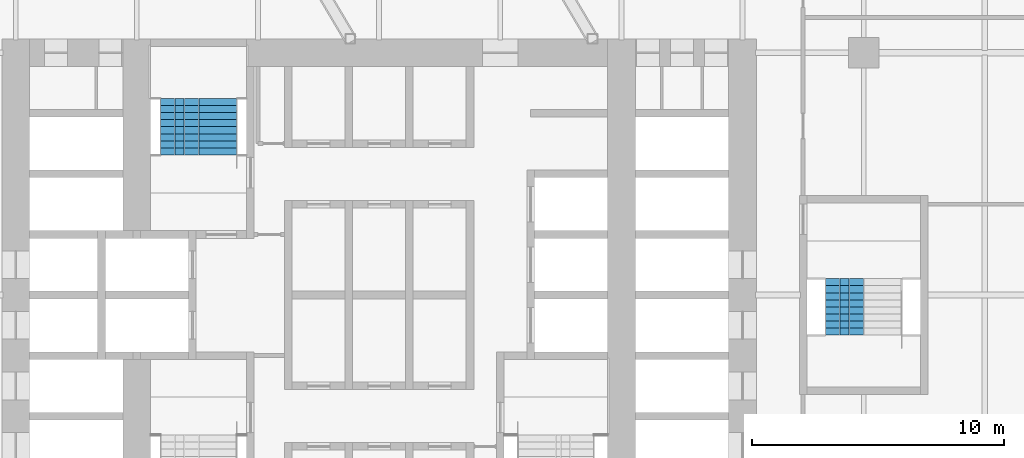
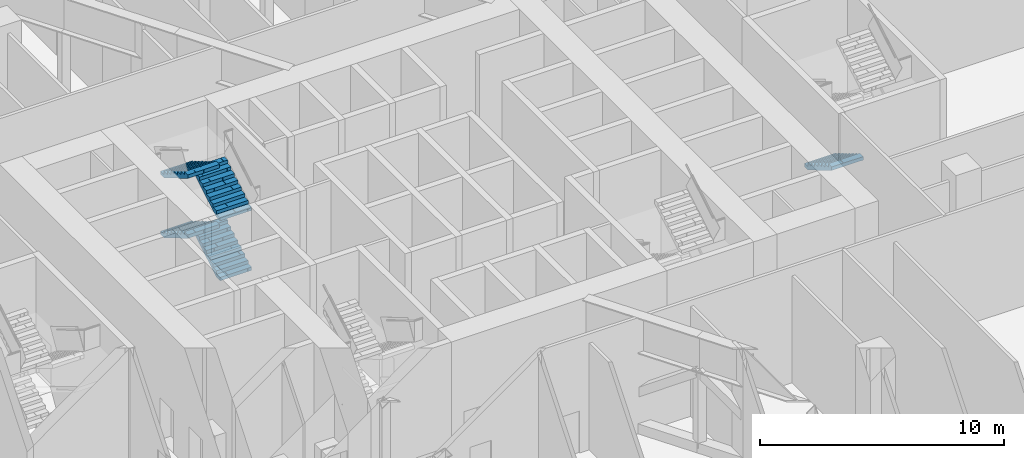
# One storey, part 26 of 35: 5 stair flights, 2 elements without a shape of their own.
"""IFC4 building model written with IfcOpenShell, lengths in metres."""

from ifc_helpers import new_model, si_unit, direction, frame, origin, place, context, subcontext, project, spatial, polyline, outline, extrude, material, type_object, element, aggregate, save


model = new_model("IFC4")

# Units and contexts
model_context = context("Model", 3, precision=1e-05, world=origin(), true_north=direction((0.0, 1.0)))
body_context = subcontext(model_context, "Body", "Model", "MODEL_VIEW")
ifc_project = project(units=[si_unit("LENGTHUNIT", "METRE"), si_unit("AREAUNIT", "SQUARE_METRE"), si_unit("VOLUMEUNIT", "CUBIC_METRE"), si_unit("PLANEANGLEUNIT", "RADIAN"), si_unit("MASSUNIT", "GRAM", prefix="KILO")], contexts=[model_context])

# Site, building, storey
site_placement = place(None, origin())
site = spatial("IfcSite", under=ifc_project, at=site_placement, CompositionType="ELEMENT")
building_placement = place(site_placement, origin())
building = spatial("IfcBuilding", under=site, at=building_placement, Name="Kolab Exchange Tower", CompositionType="ELEMENT")
storey_placement = place(building_placement, frame((0.0, 0.0, 71.89990234375)))
storey = spatial("IfcBuildingStorey", under=building, at=storey_placement, Name="L13", CompositionType="ELEMENT", Elevation=71.89990234375)

# Stair, stair flights
ifc_material = material(Name="Concrete C50/60", Category="concrete")
stair_type_1 = type_object("IfcStairType", Name="STAIR ST1 RISER 166.7", PredefinedType="DOUBLE_RETURN_STAIR", material=ifc_material)
stair_1_placement = place(storey_placement, origin())
stair_1 = element("IfcStair", 1, at=stair_1_placement, inside=storey, type_object=stair_type_1, Name="Stair 1", PredefinedType="DOUBLE_RETURN_STAIR")
stair_flight_type = type_object("IfcStairFlightType", Name="STAIR FLIGHT 1500 RISER 166.7", PredefinedType="STRAIGHT", material=ifc_material)
stair_flight_1_placement = place(storey_placement, frame((-6.389892578125, 5.550048828125, 0.0), z_axis=(0.0, 0.0, 1.0), x_axis=(0.0, 1.0, 0.0)))
stair_flight_1 = element("IfcStairFlight", 2, at=stair_flight_1_placement, type_object=stair_flight_type, Name="ST1 flight 1", NumberOfRisers=9, NumberOfTreads=8, PredefinedType="STRAIGHT", RiserHeight=0.166666667, TreadLength=0.28, context=body_context, shape_type="SweptSolid", body=[
    extrude(outline(polyline([(0.0, 0.0), (0.0, 0.166748046875), (0.280029296875, 0.166748046875), (0.280029296875, 0.333251953125), (0.56005859375, 0.333251953125), (0.56005859375, 0.5), (0.840087890625, 0.5), (0.840087890625, 0.666748046875), (1.1201171875, 0.666748046875), (1.1201171875, 0.833251953125), (1.39990234375, 0.833251953125), (1.39990234375, 1.0), (1.679931640625, 1.0), (1.679931640625, 1.166748046875), (1.9599609375, 1.166748046875), (1.9599609375, 1.333251953125), (2.239990234375, 1.333251953125), (2.239990234375, 1.5), (2.239990234375, 1.158935546875), (0.29296875, 0.0), (0.0, 0.0)])), frame((0.0, 0.75, 0.0), z_axis=(0.0, -1.0, 0.0), x_axis=(1.0, 0.0, 0.0)), (0.0, 0.0, 1.0), 0.185791015625),
    extrude(outline(polyline([(0.0, 0.0), (0.0, 0.166748046875), (0.280029296875, 0.166748046875), (0.280029296875, 0.333251953125), (0.56005859375, 0.333251953125), (0.56005859375, 0.5), (0.840087890625, 0.5), (0.840087890625, 0.666748046875), (1.1201171875, 0.666748046875), (1.1201171875, 0.833251953125), (1.39990234375, 0.833251953125), (1.39990234375, 1.0), (1.679931640625, 1.0), (1.679931640625, 1.166748046875), (1.9599609375, 1.166748046875), (1.9599609375, 1.333251953125), (2.239990234375, 1.333251953125), (2.239990234375, 1.5), (2.239990234375, 1.158935546875), (0.29296875, 0.0), (0.0, 0.0)])), frame((0.0, 0.562255859375, 0.0), z_axis=(0.0, -1.0, 0.0), x_axis=(1.0, 0.0, 0.0)), (0.0, 0.0, 1.0), 0.185791015625),
    extrude(outline(polyline([(0.0, 0.0), (0.0, 0.166748046875), (0.280029296875, 0.166748046875), (0.280029296875, 0.333251953125), (0.56005859375, 0.333251953125), (0.56005859375, 0.5), (0.840087890625, 0.5), (0.840087890625, 0.666748046875), (1.1201171875, 0.666748046875), (1.1201171875, 0.833251953125), (1.39990234375, 0.833251953125), (1.39990234375, 1.0), (1.679931640625, 1.0), (1.679931640625, 1.166748046875), (1.9599609375, 1.166748046875), (1.9599609375, 1.333251953125), (2.239990234375, 1.333251953125), (2.239990234375, 1.5), (2.239990234375, 1.158935546875), (0.29296875, 0.0), (0.0, 0.0)])), frame((0.0, 0.37451171875, 0.0), z_axis=(0.0, -1.0, 0.0), x_axis=(1.0, 0.0, 0.0)), (0.0, 0.0, 1.0), 0.185791015625),
    extrude(outline(polyline([(0.0, 0.0), (0.0, 0.166748046875), (0.280029296875, 0.166748046875), (0.280029296875, 0.333251953125), (0.56005859375, 0.333251953125), (0.56005859375, 0.5), (0.840087890625, 0.5), (0.840087890625, 0.666748046875), (1.1201171875, 0.666748046875), (1.1201171875, 0.833251953125), (1.39990234375, 0.833251953125), (1.39990234375, 1.0), (1.679931640625, 1.0), (1.679931640625, 1.166748046875), (1.9599609375, 1.166748046875), (1.9599609375, 1.333251953125), (2.239990234375, 1.333251953125), (2.239990234375, 1.5), (2.239990234375, 1.158935546875), (0.29296875, 0.0), (0.0, 0.0)])), frame((0.0, 0.186767578125, 0.0), z_axis=(0.0, -1.0, 0.0), x_axis=(1.0, 0.0, 0.0)), (0.0, 0.0, 1.0), 0.185791015625),
    extrude(outline(polyline([(0.0, 0.0), (0.0, 0.166748046875), (0.280029296875, 0.166748046875), (0.280029296875, 0.333251953125), (0.56005859375, 0.333251953125), (0.56005859375, 0.5), (0.840087890625, 0.5), (0.840087890625, 0.666748046875), (1.1201171875, 0.666748046875), (1.1201171875, 0.833251953125), (1.39990234375, 0.833251953125), (1.39990234375, 1.0), (1.679931640625, 1.0), (1.679931640625, 1.166748046875), (1.9599609375, 1.166748046875), (1.9599609375, 1.333251953125), (2.239990234375, 1.333251953125), (2.239990234375, 1.5), (2.239990234375, 1.158935546875), (0.29296875, 0.0), (0.0, 0.0)])), frame((0.0, -0.0009765625, 0.0), z_axis=(0.0, -1.0, 0.0), x_axis=(1.0, 0.0, 0.0)), (0.0, 0.0, 1.0), 0.185791015625),
    extrude(outline(polyline([(0.0, 0.0), (0.0, 0.166748046875), (0.280029296875, 0.166748046875), (0.280029296875, 0.333251953125), (0.56005859375, 0.333251953125), (0.56005859375, 0.5), (0.840087890625, 0.5), (0.840087890625, 0.666748046875), (1.1201171875, 0.666748046875), (1.1201171875, 0.833251953125), (1.39990234375, 0.833251953125), (1.39990234375, 1.0), (1.679931640625, 1.0), (1.679931640625, 1.166748046875), (1.9599609375, 1.166748046875), (1.9599609375, 1.333251953125), (2.239990234375, 1.333251953125), (2.239990234375, 1.5), (2.239990234375, 1.158935546875), (0.29296875, 0.0), (0.0, 0.0)])), frame((0.0, -0.188720703125, 0.0), z_axis=(0.0, -1.0, 0.0), x_axis=(1.0, 0.0, 0.0)), (0.0, 0.0, 1.0), 0.185791015625),
    extrude(outline(polyline([(0.0, 0.0), (0.0, 0.166748046875), (0.280029296875, 0.166748046875), (0.280029296875, 0.333251953125), (0.56005859375, 0.333251953125), (0.56005859375, 0.5), (0.840087890625, 0.5), (0.840087890625, 0.666748046875), (1.1201171875, 0.666748046875), (1.1201171875, 0.833251953125), (1.39990234375, 0.833251953125), (1.39990234375, 1.0), (1.679931640625, 1.0), (1.679931640625, 1.166748046875), (1.9599609375, 1.166748046875), (1.9599609375, 1.333251953125), (2.239990234375, 1.333251953125), (2.239990234375, 1.5), (2.239990234375, 1.158935546875), (0.29296875, 0.0), (0.0, 0.0)])), frame((0.0, -0.37646484375, 0.0), z_axis=(0.0, -1.0, 0.0), x_axis=(1.0, 0.0, 0.0)), (0.0, 0.0, 1.0), 0.185791015625),
    extrude(outline(polyline([(0.0, 0.0), (0.0, 0.166748046875), (0.280029296875, 0.166748046875), (0.280029296875, 0.333251953125), (0.56005859375, 0.333251953125), (0.56005859375, 0.5), (0.840087890625, 0.5), (0.840087890625, 0.666748046875), (1.1201171875, 0.666748046875), (1.1201171875, 0.833251953125), (1.39990234375, 0.833251953125), (1.39990234375, 1.0), (1.679931640625, 1.0), (1.679931640625, 1.166748046875), (1.9599609375, 1.166748046875), (1.9599609375, 1.333251953125), (2.239990234375, 1.333251953125), (2.239990234375, 1.5), (2.239990234375, 1.158935546875), (0.29296875, 0.0), (0.0, 0.0)])), frame((0.0, -0.564208984375, 0.0), z_axis=(0.0, -1.0, 0.0), x_axis=(1.0, 0.0, 0.0)), (0.0, 0.0, 1.0), 0.185791015625),
])
stair_flight_2_placement = place(storey_placement, frame((-7.909912109375, 7.7900390625, 1.5), z_axis=(0.0, 0.0, 1.0), x_axis=(0.0, -1.0, 0.0)))
stair_flight_2 = element("IfcStairFlight", 3, at=stair_flight_2_placement, type_object=stair_flight_type, Name="ST1 flight 2", NumberOfRisers=9, NumberOfTreads=8, PredefinedType="STRAIGHT", RiserHeight=0.166666667, TreadLength=0.28, context=body_context, shape_type="SweptSolid", body=[
    extrude(outline(polyline([(0.0, 0.0), (0.0, 0.166748046875), (0.280029296875, 0.166748046875), (0.280029296875, 0.333251953125), (0.56005859375, 0.333251953125), (0.56005859375, 0.5), (0.840087890625, 0.5), (0.840087890625, 0.666748046875), (1.1201171875, 0.666748046875), (1.1201171875, 0.833251953125), (1.39990234375, 0.833251953125), (1.39990234375, 1.0), (1.679931640625, 1.0), (1.679931640625, 1.166748046875), (1.9599609375, 1.166748046875), (1.9599609375, 1.333251953125), (2.239990234375, 1.333251953125), (2.239990234375, 1.5), (2.239990234375, 1.158935546875), (0.29296875, 0.0), (0.0, 0.0)])), frame((0.0, 0.75, 0.0), z_axis=(0.0, -1.0, 0.0), x_axis=(1.0, 0.0, 0.0)), (0.0, 0.0, 1.0), 0.185791015625),
    extrude(outline(polyline([(0.0, 0.0), (0.0, 0.166748046875), (0.280029296875, 0.166748046875), (0.280029296875, 0.333251953125), (0.56005859375, 0.333251953125), (0.56005859375, 0.5), (0.840087890625, 0.5), (0.840087890625, 0.666748046875), (1.1201171875, 0.666748046875), (1.1201171875, 0.833251953125), (1.39990234375, 0.833251953125), (1.39990234375, 1.0), (1.679931640625, 1.0), (1.679931640625, 1.166748046875), (1.9599609375, 1.166748046875), (1.9599609375, 1.333251953125), (2.239990234375, 1.333251953125), (2.239990234375, 1.5), (2.239990234375, 1.158935546875), (0.29296875, 0.0), (0.0, 0.0)])), frame((0.0, 0.562255859375, 0.0), z_axis=(0.0, -1.0, 0.0), x_axis=(1.0, 0.0, 0.0)), (0.0, 0.0, 1.0), 0.185791015625),
    extrude(outline(polyline([(0.0, 0.0), (0.0, 0.166748046875), (0.280029296875, 0.166748046875), (0.280029296875, 0.333251953125), (0.56005859375, 0.333251953125), (0.56005859375, 0.5), (0.840087890625, 0.5), (0.840087890625, 0.666748046875), (1.1201171875, 0.666748046875), (1.1201171875, 0.833251953125), (1.39990234375, 0.833251953125), (1.39990234375, 1.0), (1.679931640625, 1.0), (1.679931640625, 1.166748046875), (1.9599609375, 1.166748046875), (1.9599609375, 1.333251953125), (2.239990234375, 1.333251953125), (2.239990234375, 1.5), (2.239990234375, 1.158935546875), (0.29296875, 0.0), (0.0, 0.0)])), frame((0.0, 0.37451171875, 0.0), z_axis=(0.0, -1.0, 0.0), x_axis=(1.0, 0.0, 0.0)), (0.0, 0.0, 1.0), 0.185791015625),
    extrude(outline(polyline([(0.0, 0.0), (0.0, 0.166748046875), (0.280029296875, 0.166748046875), (0.280029296875, 0.333251953125), (0.56005859375, 0.333251953125), (0.56005859375, 0.5), (0.840087890625, 0.5), (0.840087890625, 0.666748046875), (1.1201171875, 0.666748046875), (1.1201171875, 0.833251953125), (1.39990234375, 0.833251953125), (1.39990234375, 1.0), (1.679931640625, 1.0), (1.679931640625, 1.166748046875), (1.9599609375, 1.166748046875), (1.9599609375, 1.333251953125), (2.239990234375, 1.333251953125), (2.239990234375, 1.5), (2.239990234375, 1.158935546875), (0.29296875, 0.0), (0.0, 0.0)])), frame((0.0, 0.186767578125, 0.0), z_axis=(0.0, -1.0, 0.0), x_axis=(1.0, 0.0, 0.0)), (0.0, 0.0, 1.0), 0.185791015625),
    extrude(outline(polyline([(0.0, 0.0), (0.0, 0.166748046875), (0.280029296875, 0.166748046875), (0.280029296875, 0.333251953125), (0.56005859375, 0.333251953125), (0.56005859375, 0.5), (0.840087890625, 0.5), (0.840087890625, 0.666748046875), (1.1201171875, 0.666748046875), (1.1201171875, 0.833251953125), (1.39990234375, 0.833251953125), (1.39990234375, 1.0), (1.679931640625, 1.0), (1.679931640625, 1.166748046875), (1.9599609375, 1.166748046875), (1.9599609375, 1.333251953125), (2.239990234375, 1.333251953125), (2.239990234375, 1.5), (2.239990234375, 1.158935546875), (0.29296875, 0.0), (0.0, 0.0)])), frame((0.0, -0.0009765625, 0.0), z_axis=(0.0, -1.0, 0.0), x_axis=(1.0, 0.0, 0.0)), (0.0, 0.0, 1.0), 0.185791015625),
    extrude(outline(polyline([(0.0, 0.0), (0.0, 0.166748046875), (0.280029296875, 0.166748046875), (0.280029296875, 0.333251953125), (0.56005859375, 0.333251953125), (0.56005859375, 0.5), (0.840087890625, 0.5), (0.840087890625, 0.666748046875), (1.1201171875, 0.666748046875), (1.1201171875, 0.833251953125), (1.39990234375, 0.833251953125), (1.39990234375, 1.0), (1.679931640625, 1.0), (1.679931640625, 1.166748046875), (1.9599609375, 1.166748046875), (1.9599609375, 1.333251953125), (2.239990234375, 1.333251953125), (2.239990234375, 1.5), (2.239990234375, 1.158935546875), (0.29296875, 0.0), (0.0, 0.0)])), frame((0.0, -0.188720703125, 0.0), z_axis=(0.0, -1.0, 0.0), x_axis=(1.0, 0.0, 0.0)), (0.0, 0.0, 1.0), 0.185791015625),
    extrude(outline(polyline([(0.0, 0.0), (0.0, 0.166748046875), (0.280029296875, 0.166748046875), (0.280029296875, 0.333251953125), (0.56005859375, 0.333251953125), (0.56005859375, 0.5), (0.840087890625, 0.5), (0.840087890625, 0.666748046875), (1.1201171875, 0.666748046875), (1.1201171875, 0.833251953125), (1.39990234375, 0.833251953125), (1.39990234375, 1.0), (1.679931640625, 1.0), (1.679931640625, 1.166748046875), (1.9599609375, 1.166748046875), (1.9599609375, 1.333251953125), (2.239990234375, 1.333251953125), (2.239990234375, 1.5), (2.239990234375, 1.158935546875), (0.29296875, 0.0), (0.0, 0.0)])), frame((0.0, -0.37646484375, 0.0), z_axis=(0.0, -1.0, 0.0), x_axis=(1.0, 0.0, 0.0)), (0.0, 0.0, 1.0), 0.185791015625),
    extrude(outline(polyline([(0.0, 0.0), (0.0, 0.166748046875), (0.280029296875, 0.166748046875), (0.280029296875, 0.333251953125), (0.56005859375, 0.333251953125), (0.56005859375, 0.5), (0.840087890625, 0.5), (0.840087890625, 0.666748046875), (1.1201171875, 0.666748046875), (1.1201171875, 0.833251953125), (1.39990234375, 0.833251953125), (1.39990234375, 1.0), (1.679931640625, 1.0), (1.679931640625, 1.166748046875), (1.9599609375, 1.166748046875), (1.9599609375, 1.333251953125), (2.239990234375, 1.333251953125), (2.239990234375, 1.5), (2.239990234375, 1.158935546875), (0.29296875, 0.0), (0.0, 0.0)])), frame((0.0, -0.564208984375, 0.0), z_axis=(0.0, -1.0, 0.0), x_axis=(1.0, 0.0, 0.0)), (0.0, 0.0, 1.0), 0.185791015625),
])
stair_flight_3_placement = place(storey_placement, frame((-6.389892578125, 5.550048828125, 3.0), z_axis=(0.0, 0.0, 1.0), x_axis=(0.0, 1.0, 0.0)))
stair_flight_3 = element("IfcStairFlight", 4, at=stair_flight_3_placement, type_object=stair_flight_type, Name="ST1 flight 3", NumberOfRisers=9, NumberOfTreads=8, PredefinedType="STRAIGHT", RiserHeight=0.166666667, TreadLength=0.28, context=body_context, shape_type="SweptSolid", body=[
    extrude(outline(polyline([(0.0, 0.0), (0.0, 0.166748046875), (0.280029296875, 0.166748046875), (0.280029296875, 0.333251953125), (0.56005859375, 0.333251953125), (0.56005859375, 0.5), (0.840087890625, 0.5), (0.840087890625, 0.666748046875), (1.1201171875, 0.666748046875), (1.1201171875, 0.833251953125), (1.39990234375, 0.833251953125), (1.39990234375, 1.0), (1.679931640625, 1.0), (1.679931640625, 1.166748046875), (1.9599609375, 1.166748046875), (1.9599609375, 1.333251953125), (2.239990234375, 1.333251953125), (2.239990234375, 1.5), (2.239990234375, 1.158935546875), (0.29296875, 0.0), (0.0, 0.0)])), frame((0.0, 0.75, 0.0), z_axis=(0.0, -1.0, 0.0), x_axis=(1.0, 0.0, 0.0)), (0.0, 0.0, 1.0), 0.185791015625),
    extrude(outline(polyline([(0.0, 0.0), (0.0, 0.166748046875), (0.280029296875, 0.166748046875), (0.280029296875, 0.333251953125), (0.56005859375, 0.333251953125), (0.56005859375, 0.5), (0.840087890625, 0.5), (0.840087890625, 0.666748046875), (1.1201171875, 0.666748046875), (1.1201171875, 0.833251953125), (1.39990234375, 0.833251953125), (1.39990234375, 1.0), (1.679931640625, 1.0), (1.679931640625, 1.166748046875), (1.9599609375, 1.166748046875), (1.9599609375, 1.333251953125), (2.239990234375, 1.333251953125), (2.239990234375, 1.5), (2.239990234375, 1.158935546875), (0.29296875, 0.0), (0.0, 0.0)])), frame((0.0, 0.562255859375, 0.0), z_axis=(0.0, -1.0, 0.0), x_axis=(1.0, 0.0, 0.0)), (0.0, 0.0, 1.0), 0.185791015625),
    extrude(outline(polyline([(0.0, 0.0), (0.0, 0.166748046875), (0.280029296875, 0.166748046875), (0.280029296875, 0.333251953125), (0.56005859375, 0.333251953125), (0.56005859375, 0.5), (0.840087890625, 0.5), (0.840087890625, 0.666748046875), (1.1201171875, 0.666748046875), (1.1201171875, 0.833251953125), (1.39990234375, 0.833251953125), (1.39990234375, 1.0), (1.679931640625, 1.0), (1.679931640625, 1.166748046875), (1.9599609375, 1.166748046875), (1.9599609375, 1.333251953125), (2.239990234375, 1.333251953125), (2.239990234375, 1.5), (2.239990234375, 1.158935546875), (0.29296875, 0.0), (0.0, 0.0)])), frame((0.0, 0.37451171875, 0.0), z_axis=(0.0, -1.0, 0.0), x_axis=(1.0, 0.0, 0.0)), (0.0, 0.0, 1.0), 0.185791015625),
    extrude(outline(polyline([(0.0, 0.0), (0.0, 0.166748046875), (0.280029296875, 0.166748046875), (0.280029296875, 0.333251953125), (0.56005859375, 0.333251953125), (0.56005859375, 0.5), (0.840087890625, 0.5), (0.840087890625, 0.666748046875), (1.1201171875, 0.666748046875), (1.1201171875, 0.833251953125), (1.39990234375, 0.833251953125), (1.39990234375, 1.0), (1.679931640625, 1.0), (1.679931640625, 1.166748046875), (1.9599609375, 1.166748046875), (1.9599609375, 1.333251953125), (2.239990234375, 1.333251953125), (2.239990234375, 1.5), (2.239990234375, 1.158935546875), (0.29296875, 0.0), (0.0, 0.0)])), frame((0.0, 0.186767578125, 0.0), z_axis=(0.0, -1.0, 0.0), x_axis=(1.0, 0.0, 0.0)), (0.0, 0.0, 1.0), 0.185791015625),
    extrude(outline(polyline([(0.0, 0.0), (0.0, 0.166748046875), (0.280029296875, 0.166748046875), (0.280029296875, 0.333251953125), (0.56005859375, 0.333251953125), (0.56005859375, 0.5), (0.840087890625, 0.5), (0.840087890625, 0.666748046875), (1.1201171875, 0.666748046875), (1.1201171875, 0.833251953125), (1.39990234375, 0.833251953125), (1.39990234375, 1.0), (1.679931640625, 1.0), (1.679931640625, 1.166748046875), (1.9599609375, 1.166748046875), (1.9599609375, 1.333251953125), (2.239990234375, 1.333251953125), (2.239990234375, 1.5), (2.239990234375, 1.158935546875), (0.29296875, 0.0), (0.0, 0.0)])), frame((0.0, -0.0009765625, 0.0), z_axis=(0.0, -1.0, 0.0), x_axis=(1.0, 0.0, 0.0)), (0.0, 0.0, 1.0), 0.185791015625),
    extrude(outline(polyline([(0.0, 0.0), (0.0, 0.166748046875), (0.280029296875, 0.166748046875), (0.280029296875, 0.333251953125), (0.56005859375, 0.333251953125), (0.56005859375, 0.5), (0.840087890625, 0.5), (0.840087890625, 0.666748046875), (1.1201171875, 0.666748046875), (1.1201171875, 0.833251953125), (1.39990234375, 0.833251953125), (1.39990234375, 1.0), (1.679931640625, 1.0), (1.679931640625, 1.166748046875), (1.9599609375, 1.166748046875), (1.9599609375, 1.333251953125), (2.239990234375, 1.333251953125), (2.239990234375, 1.5), (2.239990234375, 1.158935546875), (0.29296875, 0.0), (0.0, 0.0)])), frame((0.0, -0.188720703125, 0.0), z_axis=(0.0, -1.0, 0.0), x_axis=(1.0, 0.0, 0.0)), (0.0, 0.0, 1.0), 0.185791015625),
    extrude(outline(polyline([(0.0, 0.0), (0.0, 0.166748046875), (0.280029296875, 0.166748046875), (0.280029296875, 0.333251953125), (0.56005859375, 0.333251953125), (0.56005859375, 0.5), (0.840087890625, 0.5), (0.840087890625, 0.666748046875), (1.1201171875, 0.666748046875), (1.1201171875, 0.833251953125), (1.39990234375, 0.833251953125), (1.39990234375, 1.0), (1.679931640625, 1.0), (1.679931640625, 1.166748046875), (1.9599609375, 1.166748046875), (1.9599609375, 1.333251953125), (2.239990234375, 1.333251953125), (2.239990234375, 1.5), (2.239990234375, 1.158935546875), (0.29296875, 0.0), (0.0, 0.0)])), frame((0.0, -0.37646484375, 0.0), z_axis=(0.0, -1.0, 0.0), x_axis=(1.0, 0.0, 0.0)), (0.0, 0.0, 1.0), 0.185791015625),
    extrude(outline(polyline([(0.0, 0.0), (0.0, 0.166748046875), (0.280029296875, 0.166748046875), (0.280029296875, 0.333251953125), (0.56005859375, 0.333251953125), (0.56005859375, 0.5), (0.840087890625, 0.5), (0.840087890625, 0.666748046875), (1.1201171875, 0.666748046875), (1.1201171875, 0.833251953125), (1.39990234375, 0.833251953125), (1.39990234375, 1.0), (1.679931640625, 1.0), (1.679931640625, 1.166748046875), (1.9599609375, 1.166748046875), (1.9599609375, 1.333251953125), (2.239990234375, 1.333251953125), (2.239990234375, 1.5), (2.239990234375, 1.158935546875), (0.29296875, 0.0), (0.0, 0.0)])), frame((0.0, -0.564208984375, 0.0), z_axis=(0.0, -1.0, 0.0), x_axis=(1.0, 0.0, 0.0)), (0.0, 0.0, 1.0), 0.185791015625),
])
stair_flight_4_placement = place(storey_placement, frame((-7.909912109375, 7.7900390625, 4.5), z_axis=(0.0, 0.0, 1.0), x_axis=(0.0, -1.0, 0.0)))
stair_flight_4 = element("IfcStairFlight", 5, at=stair_flight_4_placement, type_object=stair_flight_type, Name="ST1 flight 4", NumberOfRisers=9, NumberOfTreads=8, PredefinedType="STRAIGHT", RiserHeight=0.166666667, TreadLength=0.28, context=body_context, shape_type="SweptSolid", body=[
    extrude(outline(polyline([(0.0, 0.0), (0.0, 0.166748046875), (0.280029296875, 0.166748046875), (0.280029296875, 0.333251953125), (0.56005859375, 0.333251953125), (0.56005859375, 0.5), (0.840087890625, 0.5), (0.840087890625, 0.666748046875), (1.1201171875, 0.666748046875), (1.1201171875, 0.833251953125), (1.39990234375, 0.833251953125), (1.39990234375, 1.0), (1.679931640625, 1.0), (1.679931640625, 1.166748046875), (1.9599609375, 1.166748046875), (1.9599609375, 1.333251953125), (2.239990234375, 1.333251953125), (2.239990234375, 1.5), (2.239990234375, 1.158935546875), (0.29296875, 0.0), (0.0, 0.0)])), frame((0.0, 0.75, 0.0), z_axis=(0.0, -1.0, 0.0), x_axis=(1.0, 0.0, 0.0)), (0.0, 0.0, 1.0), 0.185791015625),
    extrude(outline(polyline([(0.0, 0.0), (0.0, 0.166748046875), (0.280029296875, 0.166748046875), (0.280029296875, 0.333251953125), (0.56005859375, 0.333251953125), (0.56005859375, 0.5), (0.840087890625, 0.5), (0.840087890625, 0.666748046875), (1.1201171875, 0.666748046875), (1.1201171875, 0.833251953125), (1.39990234375, 0.833251953125), (1.39990234375, 1.0), (1.679931640625, 1.0), (1.679931640625, 1.166748046875), (1.9599609375, 1.166748046875), (1.9599609375, 1.333251953125), (2.239990234375, 1.333251953125), (2.239990234375, 1.5), (2.239990234375, 1.158935546875), (0.29296875, 0.0), (0.0, 0.0)])), frame((0.0, 0.562255859375, 0.0), z_axis=(0.0, -1.0, 0.0), x_axis=(1.0, 0.0, 0.0)), (0.0, 0.0, 1.0), 0.185791015625),
    extrude(outline(polyline([(0.0, 0.0), (0.0, 0.166748046875), (0.280029296875, 0.166748046875), (0.280029296875, 0.333251953125), (0.56005859375, 0.333251953125), (0.56005859375, 0.5), (0.840087890625, 0.5), (0.840087890625, 0.666748046875), (1.1201171875, 0.666748046875), (1.1201171875, 0.833251953125), (1.39990234375, 0.833251953125), (1.39990234375, 1.0), (1.679931640625, 1.0), (1.679931640625, 1.166748046875), (1.9599609375, 1.166748046875), (1.9599609375, 1.333251953125), (2.239990234375, 1.333251953125), (2.239990234375, 1.5), (2.239990234375, 1.158935546875), (0.29296875, 0.0), (0.0, 0.0)])), frame((0.0, 0.37451171875, 0.0), z_axis=(0.0, -1.0, 0.0), x_axis=(1.0, 0.0, 0.0)), (0.0, 0.0, 1.0), 0.185791015625),
    extrude(outline(polyline([(0.0, 0.0), (0.0, 0.166748046875), (0.280029296875, 0.166748046875), (0.280029296875, 0.333251953125), (0.56005859375, 0.333251953125), (0.56005859375, 0.5), (0.840087890625, 0.5), (0.840087890625, 0.666748046875), (1.1201171875, 0.666748046875), (1.1201171875, 0.833251953125), (1.39990234375, 0.833251953125), (1.39990234375, 1.0), (1.679931640625, 1.0), (1.679931640625, 1.166748046875), (1.9599609375, 1.166748046875), (1.9599609375, 1.333251953125), (2.239990234375, 1.333251953125), (2.239990234375, 1.5), (2.239990234375, 1.158935546875), (0.29296875, 0.0), (0.0, 0.0)])), frame((0.0, 0.186767578125, 0.0), z_axis=(0.0, -1.0, 0.0), x_axis=(1.0, 0.0, 0.0)), (0.0, 0.0, 1.0), 0.185791015625),
    extrude(outline(polyline([(0.0, 0.0), (0.0, 0.166748046875), (0.280029296875, 0.166748046875), (0.280029296875, 0.333251953125), (0.56005859375, 0.333251953125), (0.56005859375, 0.5), (0.840087890625, 0.5), (0.840087890625, 0.666748046875), (1.1201171875, 0.666748046875), (1.1201171875, 0.833251953125), (1.39990234375, 0.833251953125), (1.39990234375, 1.0), (1.679931640625, 1.0), (1.679931640625, 1.166748046875), (1.9599609375, 1.166748046875), (1.9599609375, 1.333251953125), (2.239990234375, 1.333251953125), (2.239990234375, 1.5), (2.239990234375, 1.158935546875), (0.29296875, 0.0), (0.0, 0.0)])), frame((0.0, -0.0009765625, 0.0), z_axis=(0.0, -1.0, 0.0), x_axis=(1.0, 0.0, 0.0)), (0.0, 0.0, 1.0), 0.185791015625),
    extrude(outline(polyline([(0.0, 0.0), (0.0, 0.166748046875), (0.280029296875, 0.166748046875), (0.280029296875, 0.333251953125), (0.56005859375, 0.333251953125), (0.56005859375, 0.5), (0.840087890625, 0.5), (0.840087890625, 0.666748046875), (1.1201171875, 0.666748046875), (1.1201171875, 0.833251953125), (1.39990234375, 0.833251953125), (1.39990234375, 1.0), (1.679931640625, 1.0), (1.679931640625, 1.166748046875), (1.9599609375, 1.166748046875), (1.9599609375, 1.333251953125), (2.239990234375, 1.333251953125), (2.239990234375, 1.5), (2.239990234375, 1.158935546875), (0.29296875, 0.0), (0.0, 0.0)])), frame((0.0, -0.188720703125, 0.0), z_axis=(0.0, -1.0, 0.0), x_axis=(1.0, 0.0, 0.0)), (0.0, 0.0, 1.0), 0.185791015625),
    extrude(outline(polyline([(0.0, 0.0), (0.0, 0.166748046875), (0.280029296875, 0.166748046875), (0.280029296875, 0.333251953125), (0.56005859375, 0.333251953125), (0.56005859375, 0.5), (0.840087890625, 0.5), (0.840087890625, 0.666748046875), (1.1201171875, 0.666748046875), (1.1201171875, 0.833251953125), (1.39990234375, 0.833251953125), (1.39990234375, 1.0), (1.679931640625, 1.0), (1.679931640625, 1.166748046875), (1.9599609375, 1.166748046875), (1.9599609375, 1.333251953125), (2.239990234375, 1.333251953125), (2.239990234375, 1.5), (2.239990234375, 1.158935546875), (0.29296875, 0.0), (0.0, 0.0)])), frame((0.0, -0.37646484375, 0.0), z_axis=(0.0, -1.0, 0.0), x_axis=(1.0, 0.0, 0.0)), (0.0, 0.0, 1.0), 0.185791015625),
    extrude(outline(polyline([(0.0, 0.0), (0.0, 0.166748046875), (0.280029296875, 0.166748046875), (0.280029296875, 0.333251953125), (0.56005859375, 0.333251953125), (0.56005859375, 0.5), (0.840087890625, 0.5), (0.840087890625, 0.666748046875), (1.1201171875, 0.666748046875), (1.1201171875, 0.833251953125), (1.39990234375, 0.833251953125), (1.39990234375, 1.0), (1.679931640625, 1.0), (1.679931640625, 1.166748046875), (1.9599609375, 1.166748046875), (1.9599609375, 1.333251953125), (2.239990234375, 1.333251953125), (2.239990234375, 1.5), (2.239990234375, 1.158935546875), (0.29296875, 0.0), (0.0, 0.0)])), frame((0.0, -0.564208984375, 0.0), z_axis=(0.0, -1.0, 0.0), x_axis=(1.0, 0.0, 0.0)), (0.0, 0.0, 1.0), 0.185791015625),
])
aggregate(stair_1, [stair_flight_1, stair_flight_2, stair_flight_3, stair_flight_4])

# Stair, stair flight
stair_type_2 = type_object("IfcStairType", Name="STAIR ST4 RISER 166.7", PredefinedType="DOUBLE_RETURN_STAIR", material=ifc_material)
stair_2_placement = place(storey_placement, origin())
stair_2 = element("IfcStair", 6, at=stair_2_placement, inside=storey, type_object=stair_type_2, Name="Stair 4", PredefinedType="DOUBLE_RETURN_STAIR")
stair_flight_5_placement = place(storey_placement, frame((18.43994140625, 0.64990234375, 0.0), z_axis=(0.0, 0.0, 1.0), x_axis=(0.0, -1.0, 0.0)))
stair_flight_5 = element("IfcStairFlight", 7, at=stair_flight_5_placement, type_object=stair_flight_type, Name="ST4 flight 1", NumberOfRisers=9, NumberOfTreads=8, PredefinedType="STRAIGHT", RiserHeight=0.166666667, TreadLength=0.28, context=body_context, shape_type="SweptSolid", body=[
    extrude(outline(polyline([(0.0, 0.0), (0.0, 0.166748046875), (0.280029296875, 0.166748046875), (0.280029296875, 0.333251953125), (0.56005859375, 0.333251953125), (0.56005859375, 0.5), (0.840087890625, 0.5), (0.840087890625, 0.666748046875), (1.1201171875, 0.666748046875), (1.1201171875, 0.833251953125), (1.39990234375, 0.833251953125), (1.39990234375, 1.0), (1.679931640625, 1.0), (1.679931640625, 1.166748046875), (1.9599609375, 1.166748046875), (1.9599609375, 1.333251953125), (2.239990234375, 1.333251953125), (2.239990234375, 1.5), (2.239990234375, 1.158935546875), (0.29296875, 0.0), (0.0, 0.0)])), frame((0.0, 0.75, 0.0), z_axis=(0.0, -1.0, 0.0), x_axis=(1.0, 0.0, 0.0)), (0.0, 0.0, 1.0), 0.185791015625),
    extrude(outline(polyline([(0.0, 0.0), (0.0, 0.166748046875), (0.280029296875, 0.166748046875), (0.280029296875, 0.333251953125), (0.56005859375, 0.333251953125), (0.56005859375, 0.5), (0.840087890625, 0.5), (0.840087890625, 0.666748046875), (1.1201171875, 0.666748046875), (1.1201171875, 0.833251953125), (1.39990234375, 0.833251953125), (1.39990234375, 1.0), (1.679931640625, 1.0), (1.679931640625, 1.166748046875), (1.9599609375, 1.166748046875), (1.9599609375, 1.333251953125), (2.239990234375, 1.333251953125), (2.239990234375, 1.5), (2.239990234375, 1.158935546875), (0.29296875, 0.0), (0.0, 0.0)])), frame((0.0, 0.562255859375, 0.0), z_axis=(0.0, -1.0, 0.0), x_axis=(1.0, 0.0, 0.0)), (0.0, 0.0, 1.0), 0.185791015625),
    extrude(outline(polyline([(0.0, 0.0), (0.0, 0.166748046875), (0.280029296875, 0.166748046875), (0.280029296875, 0.333251953125), (0.56005859375, 0.333251953125), (0.56005859375, 0.5), (0.840087890625, 0.5), (0.840087890625, 0.666748046875), (1.1201171875, 0.666748046875), (1.1201171875, 0.833251953125), (1.39990234375, 0.833251953125), (1.39990234375, 1.0), (1.679931640625, 1.0), (1.679931640625, 1.166748046875), (1.9599609375, 1.166748046875), (1.9599609375, 1.333251953125), (2.239990234375, 1.333251953125), (2.239990234375, 1.5), (2.239990234375, 1.158935546875), (0.29296875, 0.0), (0.0, 0.0)])), frame((0.0, 0.37451171875, 0.0), z_axis=(0.0, -1.0, 0.0), x_axis=(1.0, 0.0, 0.0)), (0.0, 0.0, 1.0), 0.185791015625),
    extrude(outline(polyline([(0.0, 0.0), (0.0, 0.166748046875), (0.280029296875, 0.166748046875), (0.280029296875, 0.333251953125), (0.56005859375, 0.333251953125), (0.56005859375, 0.5), (0.840087890625, 0.5), (0.840087890625, 0.666748046875), (1.1201171875, 0.666748046875), (1.1201171875, 0.833251953125), (1.39990234375, 0.833251953125), (1.39990234375, 1.0), (1.679931640625, 1.0), (1.679931640625, 1.166748046875), (1.9599609375, 1.166748046875), (1.9599609375, 1.333251953125), (2.239990234375, 1.333251953125), (2.239990234375, 1.5), (2.239990234375, 1.158935546875), (0.29296875, 0.0), (0.0, 0.0)])), frame((0.0, 0.186767578125, 0.0), z_axis=(0.0, -1.0, 0.0), x_axis=(1.0, 0.0, 0.0)), (0.0, 0.0, 1.0), 0.185791015625),
    extrude(outline(polyline([(0.0, 0.0), (0.0, 0.166748046875), (0.280029296875, 0.166748046875), (0.280029296875, 0.333251953125), (0.56005859375, 0.333251953125), (0.56005859375, 0.5), (0.840087890625, 0.5), (0.840087890625, 0.666748046875), (1.1201171875, 0.666748046875), (1.1201171875, 0.833251953125), (1.39990234375, 0.833251953125), (1.39990234375, 1.0), (1.679931640625, 1.0), (1.679931640625, 1.166748046875), (1.9599609375, 1.166748046875), (1.9599609375, 1.333251953125), (2.239990234375, 1.333251953125), (2.239990234375, 1.5), (2.239990234375, 1.158935546875), (0.29296875, 0.0), (0.0, 0.0)])), frame((0.0, -0.0009765625, 0.0), z_axis=(0.0, -1.0, 0.0), x_axis=(1.0, 0.0, 0.0)), (0.0, 0.0, 1.0), 0.185791015625),
    extrude(outline(polyline([(0.0, 0.0), (0.0, 0.166748046875), (0.280029296875, 0.166748046875), (0.280029296875, 0.333251953125), (0.56005859375, 0.333251953125), (0.56005859375, 0.5), (0.840087890625, 0.5), (0.840087890625, 0.666748046875), (1.1201171875, 0.666748046875), (1.1201171875, 0.833251953125), (1.39990234375, 0.833251953125), (1.39990234375, 1.0), (1.679931640625, 1.0), (1.679931640625, 1.166748046875), (1.9599609375, 1.166748046875), (1.9599609375, 1.333251953125), (2.239990234375, 1.333251953125), (2.239990234375, 1.5), (2.239990234375, 1.158935546875), (0.29296875, 0.0), (0.0, 0.0)])), frame((0.0, -0.188720703125, 0.0), z_axis=(0.0, -1.0, 0.0), x_axis=(1.0, 0.0, 0.0)), (0.0, 0.0, 1.0), 0.185791015625),
    extrude(outline(polyline([(0.0, 0.0), (0.0, 0.166748046875), (0.280029296875, 0.166748046875), (0.280029296875, 0.333251953125), (0.56005859375, 0.333251953125), (0.56005859375, 0.5), (0.840087890625, 0.5), (0.840087890625, 0.666748046875), (1.1201171875, 0.666748046875), (1.1201171875, 0.833251953125), (1.39990234375, 0.833251953125), (1.39990234375, 1.0), (1.679931640625, 1.0), (1.679931640625, 1.166748046875), (1.9599609375, 1.166748046875), (1.9599609375, 1.333251953125), (2.239990234375, 1.333251953125), (2.239990234375, 1.5), (2.239990234375, 1.158935546875), (0.29296875, 0.0), (0.0, 0.0)])), frame((0.0, -0.37646484375, 0.0), z_axis=(0.0, -1.0, 0.0), x_axis=(1.0, 0.0, 0.0)), (0.0, 0.0, 1.0), 0.185791015625),
    extrude(outline(polyline([(0.0, 0.0), (0.0, 0.166748046875), (0.280029296875, 0.166748046875), (0.280029296875, 0.333251953125), (0.56005859375, 0.333251953125), (0.56005859375, 0.5), (0.840087890625, 0.5), (0.840087890625, 0.666748046875), (1.1201171875, 0.666748046875), (1.1201171875, 0.833251953125), (1.39990234375, 0.833251953125), (1.39990234375, 1.0), (1.679931640625, 1.0), (1.679931640625, 1.166748046875), (1.9599609375, 1.166748046875), (1.9599609375, 1.333251953125), (2.239990234375, 1.333251953125), (2.239990234375, 1.5), (2.239990234375, 1.158935546875), (0.29296875, 0.0), (0.0, 0.0)])), frame((0.0, -0.564208984375, 0.0), z_axis=(0.0, -1.0, 0.0), x_axis=(1.0, 0.0, 0.0)), (0.0, 0.0, 1.0), 0.185791015625),
])
aggregate(stair_2, [stair_flight_5])

save(model, "model.ifc")
